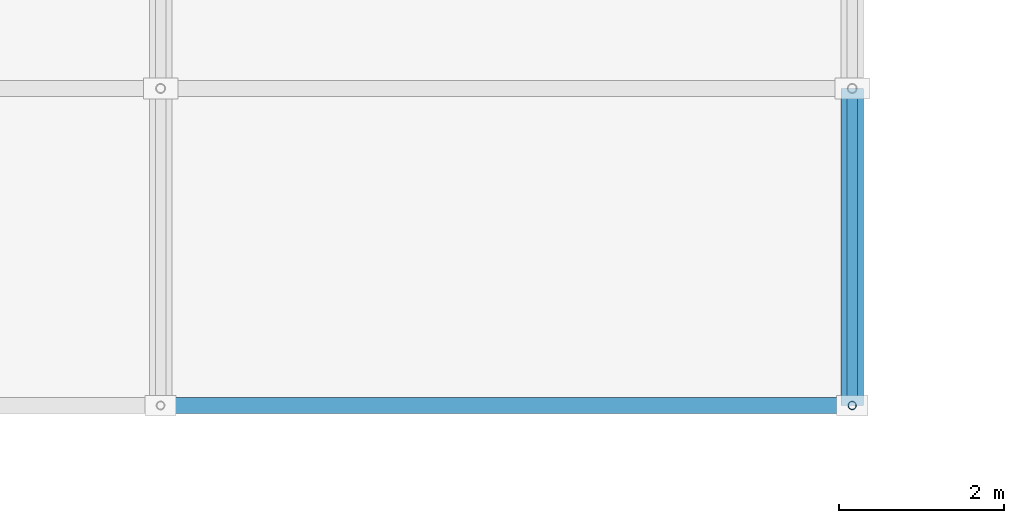
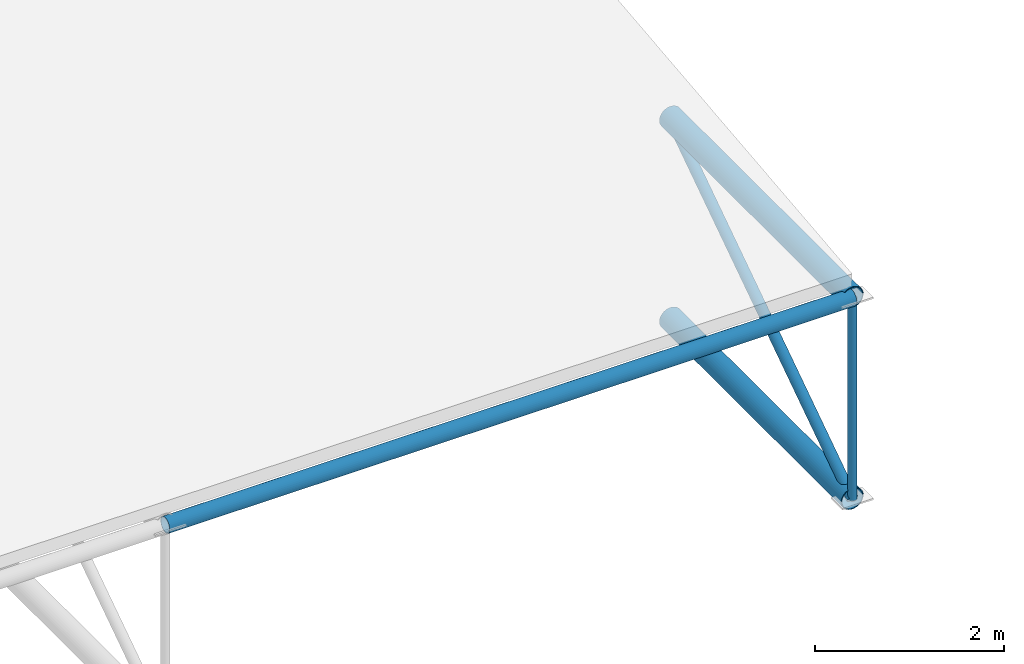
# One storey, part 32 of 140: 3 members, 2 beams.
"""IFC4 building model written with IfcOpenShell, lengths in metres."""

from ifc_helpers import new_model, si_unit, direction, frame, origin, origin_2d, place, context, subcontext, project, spatial, hollow_circle, extrude, material, material_profile, profile_set, type_object, element, save


model = new_model("IFC4")

# Units and contexts
model_context = context("Model", 3, precision=1e-05, world=origin(), true_north=direction((0.0, 1.0)))
body_context = subcontext(model_context, "Body", "Model", "MODEL_VIEW")
ifc_project = project(units=[si_unit("LENGTHUNIT", "METRE"), si_unit("AREAUNIT", "SQUARE_METRE"), si_unit("VOLUMEUNIT", "CUBIC_METRE"), si_unit("PLANEANGLEUNIT", "RADIAN"), si_unit("MASSUNIT", "GRAM", prefix="KILO")], contexts=[model_context])

# Site, building, storey
site_placement = place(None, origin())
site = spatial("IfcSite", under=ifc_project, at=site_placement, CompositionType="ELEMENT")
building_placement = place(site_placement, origin())
building = spatial("IfcBuilding", under=site, at=building_placement, Name="Varnapada Polytechnic", CompositionType="ELEMENT")
storey_placement = place(building_placement, frame((0.0, 0.0, 13.800048828125)))
storey = spatial("IfcBuildingStorey", under=building, at=storey_placement, Name="L03", CompositionType="ELEMENT", Elevation=13.800048828125)

# Members
ifc_material = material(Name="Steel S355", Category="steel")
ifc_material_profile_1 = material_profile(ifc_material, hollow_circle(Radius=0.096923828125, WallThickness=0.00634765625, at=origin_2d()), Name="CHS 193.7x6.3")
ifc_profile_set_1 = profile_set([ifc_material_profile_1], Name="Steel S355")
member_type_1 = type_object("IfcMemberType", Name="Canopy space frame longitudinal chord SFC-03 (CHS 193.7x6.3)", PredefinedType="CHORD", material=ifc_profile_set_1)
member_1_placement = place(storey_placement, frame((100.800048828125, 5.199951171875, -1.35009765625), z_axis=(1.0, 0.0, 0.0), x_axis=(0.0, 1.0, 0.0)))
element("IfcMember", 1, at=member_1_placement, inside=storey, type_object=member_type_1, Name="Entrance canopy longitudinal chord 4.6", PredefinedType="CHORD", context=body_context, shape_type="SweptSolid", body=[
    extrude(hollow_circle(Radius=0.096923828125, WallThickness=0.00634765625, at=origin_2d()), origin(), (0.0, 0.0, 1.0), 8.39990234375),
])
ifc_material_profile_2 = material_profile(ifc_material, hollow_circle(Radius=0.05078125, WallThickness=0.0048828125, at=origin_2d()), Name="CHS 101.6x5.0")
ifc_profile_set_2 = profile_set([ifc_material_profile_2], Name="Steel S355")
member_type_2 = type_object("IfcMemberType", Name="Canopy tip strut SFS-03 (CHS 101.6x5.0)", PredefinedType="STRUT", material=ifc_profile_set_2)
member_2_placement = place(storey_placement, frame((109.199951171875, 5.199951171875, -3.949951171875), z_axis=(0.0, 0.0, 1.0), x_axis=(1.0, 0.0, 0.0)))
element("IfcMember", 2, at=member_2_placement, inside=storey, type_object=member_type_2, Name="Entrance canopy space frame post 5.6", PredefinedType="STRUT", context=body_context, shape_type="SweptSolid", body=[
    extrude(hollow_circle(Radius=0.05078125, WallThickness=0.0048828125, at=origin_2d()), origin(), (0.0, 0.0, 1.0), 2.599853515625),
])
ifc_material_profile_3 = material_profile(ifc_material, hollow_circle(Radius=0.0634765625, WallThickness=0.0048828125, at=origin_2d()), Name="CHS 127.0x5.0")
ifc_profile_set_3 = profile_set([ifc_material_profile_3], Name="Steel S355")
member_type_3 = type_object("IfcMemberType", Name="Canopy web diagonal SFB-04 (CHS 127.0x5.0)", PredefinedType="BRACE", material=ifc_profile_set_3)
member_3_placement = place(storey_placement, frame((109.199951171875, 9.050048828125, -1.35009765625), z_axis=(0.0, -0.828745090232, -0.55962628192), x_axis=(1.0, 0.0, 0.0)))
element("IfcMember", 3, at=member_3_placement, inside=storey, type_object=member_type_3, Name="Entrance canopy space frame web brace 5.5", PredefinedType="BRACE", context=body_context, shape_type="SweptSolid", body=[
    extrude(hollow_circle(Radius=0.0634765625, WallThickness=0.0048828125, at=origin_2d()), origin(), (0.0, 0.0, 1.0), 4.645751953125),
])

# Beams
ifc_material_profile_4 = material_profile(ifc_material, hollow_circle(Radius=0.136474609375, WallThickness=0.010009765625, at=origin_2d()), Name="CHS 273.0x10.0")
ifc_profile_set_4 = profile_set([ifc_material_profile_4], Name="Steel S355")
beam_type = type_object("IfcBeamType", Name="Vaulted space frame canopy chord beam VA-03 (CHS 273.0x10.0)", PredefinedType="BEAM", material=ifc_profile_set_4)
for number, where, z_axis, x_axis, name in (
    (4, (109.199951171875, 9.050048828125, -3.949951171875), (0.0, -1.0, 0.0), (1.0, 0.0, 0.0), "Entrance canopy space frame bottom chord 5.5"),
    (5, (109.199951171875, 9.050048828125, -1.35009765625), (0.0, -1.0, 0.0), (1.0, 0.0, 0.0), "Entrance canopy space frame top chord 5.5"),
):
    element("IfcBeam", number, at=place(storey_placement, frame(where, z_axis=z_axis, x_axis=x_axis)), inside=storey, type_object=beam_type, Name=name, PredefinedType="BEAM", context=body_context, shape_type="SweptSolid", body=[
        extrude(hollow_circle(Radius=0.136474609375, WallThickness=0.010009765625, at=origin_2d()), origin(), (0.0, 0.0, 1.0), 3.85009765625),
    ])

save(model, "model.ifc")
